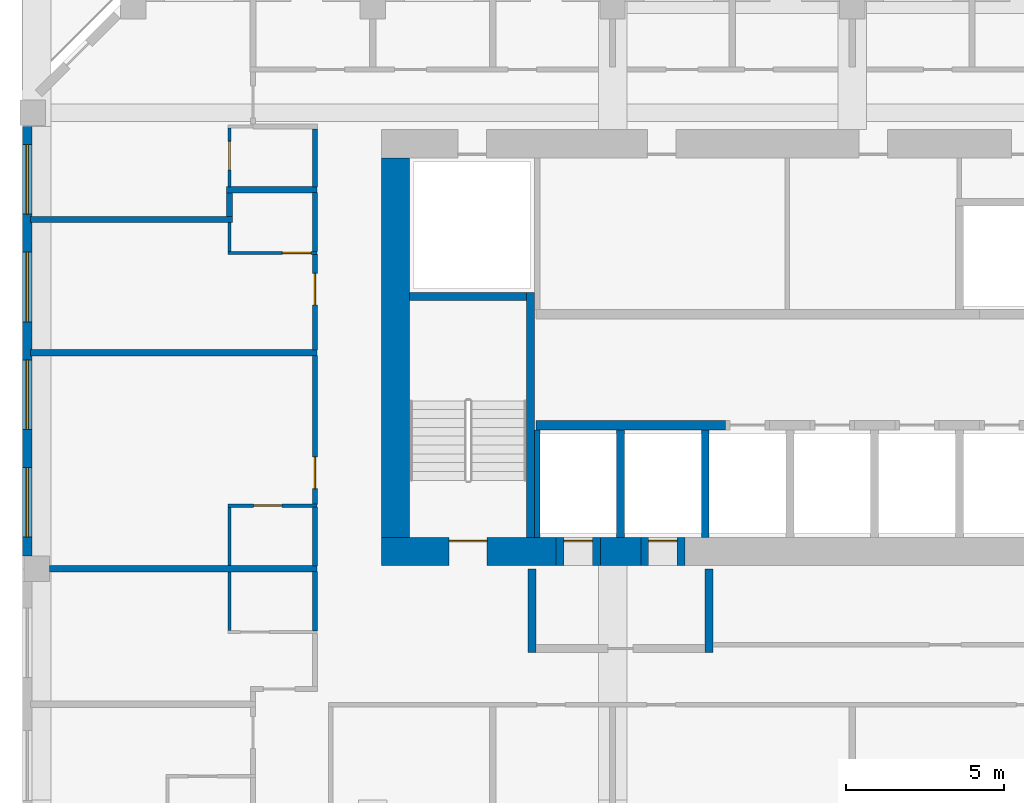
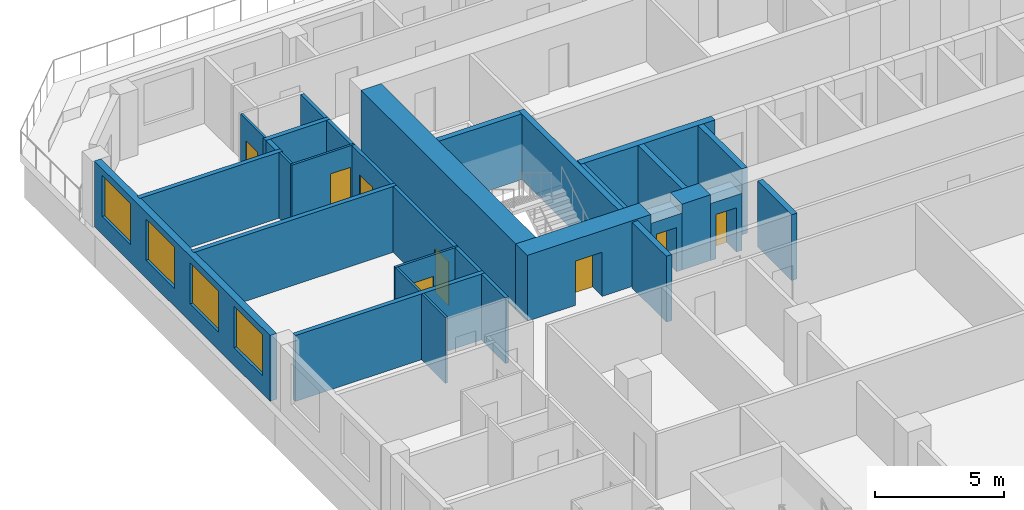
# One storey, part 7 of 16: 31 walls, 8 doors, 4 windows, 12 openings.
"""IFC4 building model written with IfcOpenShell, lengths in metres."""

from ifc_helpers import new_model, si_unit, direction, frame, frame_2d, origin, place, context, subcontext, project, spatial, rectangle, extrude, source, transform, mapped, material, layer, layer_set, type_object, element, fill, save


model = new_model("IFC4")

# Units and contexts
model_context = context("Model", 3, precision=1e-05, world=origin(), true_north=direction((0.0, 1.0)))
body_context = subcontext(model_context, "Body", "Model", "MODEL_VIEW")
ifc_project = project(units=[si_unit("LENGTHUNIT", "METRE"), si_unit("AREAUNIT", "SQUARE_METRE"), si_unit("VOLUMEUNIT", "CUBIC_METRE"), si_unit("PLANEANGLEUNIT", "RADIAN"), si_unit("MASSUNIT", "GRAM", prefix="KILO")], contexts=[model_context])

# Site, building, storey
site_placement = place(None, origin())
site = spatial("IfcSite", under=ifc_project, at=site_placement, CompositionType="ELEMENT")
building_placement = place(site_placement, origin())
building = spatial("IfcBuilding", under=site, at=building_placement, Name="Kilnfold Tower and Market Hall", CompositionType="ELEMENT")
storey_placement = place(building_placement, frame((0.0, 0.0, 168.5)))
storey = spatial("IfcBuildingStorey", under=building, at=storey_placement, Name="L39", CompositionType="ELEMENT", Elevation=168.5)

# Wall
ifc_material_1 = material(Name="Gypsum board on steel studs", Category="steel")
ifc_layer_1 = layer(ifc_material_1, 0.14990234375)
ifc_layer_set_1 = layer_set([ifc_layer_1], Name="Gypsum board on steel studs")
wall_type_1 = type_object("IfcWallType", Name="WALL CORRIDOR 150", PredefinedType="PARTITIONING", material=ifc_layer_set_1)
wall_1_placement = place(storey_placement, frame((-18.0, 6.0400390625, 0.0), z_axis=(0.0, 0.0, 1.0), x_axis=(0.0, 1.0, 0.0)))
element("IfcWall", 1, at=wall_1_placement, inside=storey, type_object=wall_type_1, Name="Partition LY26.21", PredefinedType="PARTITIONING", context=body_context, shape_type="SweptSolid", body=[
    extrude(rectangle(XDim=1.869873046875, YDim=0.14990234375, at=frame_2d((0.93505859375, 0.0))), origin(), (0.0, 0.0, 1.0), 3.1201171875),
])

# Wall, opening, door
wall_2_placement = place(storey_placement, frame((-18.0, 10.0400390625, 0.0), z_axis=(0.0, 0.0, 1.0), x_axis=(0.0, 1.0, 0.0)))
wall_2 = element("IfcWall", 2, at=wall_2_placement, inside=storey, type_object=wall_type_1, Name="Partition LY26.22", PredefinedType="PARTITIONING", context=body_context, shape_type="SweptSolid", body=[
    extrude(rectangle(XDim=4.70703125, YDim=0.14990234375, at=frame_2d((2.353515625, 0.0))), origin(), (0.0, 0.0, 1.0), 3.1201171875),
])
opening_1_placement = place(wall_2_placement, frame((0.5009765625, 0.0, 0.0)))
opening_1 = element("IfcOpeningElement", 3, at=opening_1_placement, cuts=wall_2, Name="Opening D1", PredefinedType="OPENING", context=body_context, shape_type="SweptSolid", body=[
    extrude(rectangle(XDim=1.0, YDim=2.10009765625, at=frame_2d((0.5, 1.050048828125))), frame((0.0, 0.0849609375, 0.0), z_axis=(0.0, -1.0, 0.0), x_axis=(1.0, 0.0, 0.0)), (0.0, 0.0, 1.0), 0.169921875),
])
ifc_material_2 = material(Name="Timber veneer door leaf in steel frame", Category="steel")
door_type_1 = type_object("IfcDoorType", Name="DOOR ENTRY 1000 X2100", OperationType="NOTDEFINED", PredefinedType="DOOR", material=ifc_material_2)
door_1_placement = place(opening_1_placement, origin())
door_1 = element("IfcDoor", 4, at=door_1_placement, inside=storey, type_object=door_type_1, Name="Door D1", OperationType="SINGLE_SWING_LEFT", OverallHeight=2.10009765625, OverallWidth=1.0, PredefinedType="DOOR", context=body_context, shape_type="SweptSolid", body=[
    extrude(rectangle(XDim=1.0, YDim=2.10009765625, at=frame_2d((0.5, 1.050048828125))), frame((0.0, 0.02490234375, 0.0), z_axis=(0.0, -1.0, 0.0), x_axis=(1.0, 0.0, 0.0)), (0.0, 0.0, 1.0), 0.050048828125),
])
fill(opening_1, door_1)

# Wall
wall_3_placement = place(storey_placement, frame((-18.0, 8.090087890625, 0.0), z_axis=(0.0, 0.0, 1.0), x_axis=(0.0, 1.0, 0.0)))
element("IfcWall", 5, at=wall_3_placement, inside=storey, type_object=wall_type_1, Name="Partition LY26.23", PredefinedType="PARTITIONING", context=body_context, shape_type="SweptSolid", body=[
    extrude(rectangle(XDim=1.869873046875, YDim=0.14990234375, at=frame_2d((0.93505859375, 0.0))), origin(), (0.0, 0.0, 1.0), 3.1201171875),
])

# Wall, opening, door
wall_4_placement = place(storey_placement, frame((-18.0, 14.927001953125, 0.0), z_axis=(0.0, 0.0, 1.0), x_axis=(0.0, 1.0, 0.0)))
wall_4 = element("IfcWall", 6, at=wall_4_placement, inside=storey, type_object=wall_type_1, Name="Partition LY26.24", PredefinedType="PARTITIONING", context=body_context, shape_type="SweptSolid", body=[
    extrude(rectangle(XDim=3.032958984375, YDim=0.14990234375, at=frame_2d((1.5166015625, 0.0))), origin(), (0.0, 0.0, 1.0), 3.1201171875),
])
opening_2_placement = place(wall_4_placement, frame((1.425048828125, 0.0, 0.0)))
opening_2 = element("IfcOpeningElement", 7, at=opening_2_placement, cuts=wall_4, Name="Opening D1", PredefinedType="OPENING", context=body_context, shape_type="SweptSolid", body=[
    extrude(rectangle(XDim=1.0, YDim=2.10009765625, at=frame_2d((0.5, 1.050048828125))), frame((0.0, 0.0849609375, 0.0), z_axis=(0.0, -1.0, 0.0), x_axis=(1.0, 0.0, 0.0)), (0.0, 0.0, 1.0), 0.169921875),
])
door_2_placement = place(opening_2_placement, origin())
door_2 = element("IfcDoor", 8, at=door_2_placement, inside=storey, type_object=door_type_1, Name="Door D1", OperationType="SINGLE_SWING_LEFT", OverallHeight=2.10009765625, OverallWidth=1.0, PredefinedType="DOOR", context=body_context, shape_type="SweptSolid", body=[
    extrude(rectangle(XDim=1.0, YDim=2.10009765625, at=frame_2d((0.5, 1.050048828125))), frame((0.0, 0.02490234375, 0.0), z_axis=(0.0, -1.0, 0.0), x_axis=(1.0, 0.0, 0.0)), (0.0, 0.0, 1.0), 0.050048828125),
])
fill(opening_2, door_2)

# Walls
wall_5_placement = place(storey_placement, frame((-18.0, 18.0400390625, 0.0), z_axis=(0.0, 0.0, 1.0), x_axis=(0.0, 1.0, 0.0)))
element("IfcWall", 9, at=wall_5_placement, inside=storey, type_object=wall_type_1, Name="Partition LY26.25", PredefinedType="PARTITIONING", context=body_context, shape_type="SweptSolid", body=[
    extrude(rectangle(XDim=1.869873046875, YDim=0.14990234375, at=frame_2d((0.93505859375, 0.0))), origin(), (0.0, 0.0, 1.0), 3.1201171875),
])
wall_6_placement = place(storey_placement, frame((-18.0, 20.090087890625, 0.0), z_axis=(0.0, 0.0, 1.0), x_axis=(0.0, 1.0, 0.0)))
element("IfcWall", 10, at=wall_6_placement, inside=storey, type_object=wall_type_1, Name="Partition LY26.27", PredefinedType="PARTITIONING", context=body_context, shape_type="SweptSolid", body=[
    extrude(rectangle(XDim=1.8349609375, YDim=0.14990234375, at=frame_2d((0.91748046875, 0.0))), origin(), (0.0, 0.0, 1.0), 3.1201171875),
])
ifc_material_3 = material(Name="Gypsum board on steel studs", Category="steel")
ifc_layer_2 = layer(ifc_material_3, 0.10009765625)
ifc_layer_set_2 = layer_set([ifc_layer_2], Name="Gypsum board on steel studs")
wall_type_2 = type_object("IfcWallType", Name="WALL PARTITION 100", PredefinedType="PARTITIONING", material=ifc_layer_set_2)
wall_7_placement = place(storey_placement, frame((-20.701904296875, 6.050048828125, 0.0), z_axis=(0.0, 0.0, 1.0), x_axis=(0.0, 1.0, 0.0)))
element("IfcWall", 11, at=wall_7_placement, inside=storey, type_object=wall_type_2, Name="Partition LY26.105", PredefinedType="PARTITIONING", context=body_context, shape_type="SweptSolid", body=[
    extrude(rectangle(XDim=1.849853515625, YDim=0.10009765625, at=frame_2d((0.9248046875, 0.0))), origin(), (0.0, 0.0, 1.0), 3.1201171875),
])

# Wall, opening, door
wall_8_placement = place(storey_placement, frame((-20.751953125, 10.0, 0.0), z_axis=(0.0, 0.0, 1.0), x_axis=(1.0, 0.0, 0.0)))
wall_8 = element("IfcWall", 12, at=wall_8_placement, inside=storey, type_object=wall_type_2, Name="Partition LY26.107", PredefinedType="PARTITIONING", context=body_context, shape_type="SweptSolid", body=[
    extrude(rectangle(XDim=2.824951171875, YDim=0.10009765625, at=frame_2d((1.41259765625, 0.0))), origin(), (0.0, 0.0, 1.0), 3.1201171875),
])
opening_3_placement = place(wall_8_placement, frame((0.81005859375, 0.0, 0.0)))
opening_3 = element("IfcOpeningElement", 13, at=opening_3_placement, cuts=wall_8, Name="Opening D3", PredefinedType="OPENING", context=body_context, shape_type="SweptSolid", body=[
    extrude(rectangle(XDim=0.89990234375, YDim=2.10009765625, at=frame_2d((0.449951171875, 1.050048828125))), frame((0.0, 0.06005859375, 0.0), z_axis=(0.0, -1.0, 0.0), x_axis=(1.0, 0.0, 0.0)), (0.0, 0.0, 1.0), 0.1201171875),
])
ifc_material_4 = material(Name="Timber veneer door leaf in steel frame", Category="steel")
door_type_2 = type_object("IfcDoorType", Name="DOOR WC 900 X2100", OperationType="NOTDEFINED", PredefinedType="DOOR", material=ifc_material_4)
door_3_placement = place(opening_3_placement, origin())
door_3 = element("IfcDoor", 14, at=door_3_placement, inside=storey, type_object=door_type_2, Name="Door D3", OperationType="SINGLE_SWING_LEFT", OverallHeight=2.10009765625, OverallWidth=0.89990234375, PredefinedType="DOOR", context=body_context, shape_type="SweptSolid", body=[
    extrude(rectangle(XDim=0.89990234375, YDim=2.10009765625, at=frame_2d((0.449951171875, 1.050048828125))), frame((0.0, 0.02490234375, 0.0), z_axis=(0.0, -1.0, 0.0), x_axis=(1.0, 0.0, 0.0)), (0.0, 0.0, 1.0), 0.050048828125),
])
fill(opening_3, door_3)

# Wall
wall_9_placement = place(storey_placement, frame((-20.701904296875, 8.10009765625, 0.0), z_axis=(0.0, 0.0, 1.0), x_axis=(0.0, 1.0, 0.0)))
element("IfcWall", 15, at=wall_9_placement, inside=storey, type_object=wall_type_2, Name="Partition LY26.108", PredefinedType="PARTITIONING", context=body_context, shape_type="SweptSolid", body=[
    extrude(rectangle(XDim=1.849853515625, YDim=0.10009765625, at=frame_2d((0.9248046875, 0.0))), origin(), (0.0, 0.0, 1.0), 3.1201171875),
])

# Wall, opening, door
wall_10_placement = place(storey_placement, frame((-17.927001953125, 18.0, 0.0), z_axis=(0.0, 0.0, 1.0), x_axis=(-1.0, 0.0, 0.0)))
wall_10 = element("IfcWall", 16, at=wall_10_placement, inside=storey, type_object=wall_type_2, Name="Partition LY26.110", PredefinedType="PARTITIONING", context=body_context, shape_type="SweptSolid", body=[
    extrude(rectangle(XDim=2.824951171875, YDim=0.10009765625, at=frame_2d((1.41259765625, 0.0))), origin(), (0.0, 0.0, 1.0), 3.1201171875),
])
opening_4_placement = place(wall_10_placement, frame((0.199951171875, 0.0, 0.0)))
opening_4 = element("IfcOpeningElement", 17, at=opening_4_placement, cuts=wall_10, Name="Opening D3", PredefinedType="OPENING", context=body_context, shape_type="SweptSolid", body=[
    extrude(rectangle(XDim=0.89990234375, YDim=2.10009765625, at=frame_2d((0.449951171875, 1.050048828125))), frame((0.0, 0.06005859375, 0.0), z_axis=(0.0, -1.0, 0.0), x_axis=(1.0, 0.0, 0.0)), (0.0, 0.0, 1.0), 0.1201171875),
])
door_4_placement = place(opening_4_placement, origin())
door_4 = element("IfcDoor", 18, at=door_4_placement, inside=storey, type_object=door_type_2, Name="Door D3", OperationType="SINGLE_SWING_LEFT", OverallHeight=2.10009765625, OverallWidth=0.89990234375, PredefinedType="DOOR", context=body_context, shape_type="SweptSolid", body=[
    extrude(rectangle(XDim=0.89990234375, YDim=2.10009765625, at=frame_2d((0.449951171875, 1.050048828125))), frame((0.0, 0.02490234375, 0.0), z_axis=(0.0, -1.0, 0.0), x_axis=(1.0, 0.0, 0.0)), (0.0, 0.0, 1.0), 0.050048828125),
])
fill(opening_4, door_4)

# Wall
wall_11_placement = place(storey_placement, frame((-20.701904296875, 18.050048828125, 0.0), z_axis=(0.0, 0.0, 1.0), x_axis=(0.0, 1.0, 0.0)))
element("IfcWall", 19, at=wall_11_placement, inside=storey, type_object=wall_type_2, Name="Partition LY26.111", PredefinedType="PARTITIONING", context=body_context, shape_type="SweptSolid", body=[
    extrude(rectangle(XDim=0.90283203125, YDim=0.10009765625, at=frame_2d((0.451416015625, 0.0))), origin(), (0.0, 0.0, 1.0), 3.1201171875),
])

# Wall, opening, door
wall_12_placement = place(storey_placement, frame((-20.701904296875, 20.090087890625, 0.0), z_axis=(0.0, 0.0, 1.0), x_axis=(0.0, 1.0, 0.0)))
wall_12 = element("IfcWall", 20, at=wall_12_placement, inside=storey, type_object=wall_type_2, Name="Partition LY26.116", PredefinedType="PARTITIONING", context=body_context, shape_type="SweptSolid", body=[
    extrude(rectangle(XDim=1.85986328125, YDim=0.10009765625, at=frame_2d((0.929931640625, 0.0))), origin(), (0.0, 0.0, 1.0), 3.1201171875),
])
opening_5_placement = place(wall_12_placement, frame((0.535888671875, 0.0, 0.0)))
opening_5 = element("IfcOpeningElement", 21, at=opening_5_placement, cuts=wall_12, Name="Opening D3", PredefinedType="OPENING", context=body_context, shape_type="SweptSolid", body=[
    extrude(rectangle(XDim=0.89990234375, YDim=2.10009765625, at=frame_2d((0.449951171875, 1.050048828125))), frame((0.0, 0.06005859375, 0.0), z_axis=(0.0, -1.0, 0.0), x_axis=(1.0, 0.0, 0.0)), (0.0, 0.0, 1.0), 0.1201171875),
])
door_5_placement = place(opening_5_placement, origin())
door_5 = element("IfcDoor", 22, at=door_5_placement, inside=storey, type_object=door_type_2, Name="Door D3", OperationType="SINGLE_SWING_RIGHT", OverallHeight=2.10009765625, OverallWidth=0.89990234375, PredefinedType="DOOR", context=body_context, shape_type="SweptSolid", body=[
    extrude(rectangle(XDim=0.89990234375, YDim=2.10009765625, at=frame_2d((0.449951171875, 1.050048828125))), frame((0.0, 0.02490234375, 0.0), z_axis=(0.0, -1.0, 0.0), x_axis=(1.0, 0.0, 0.0)), (0.0, 0.0, 1.0), 0.050048828125),
])
fill(opening_5, door_5)

# Walls
ifc_material_5 = material(Name="Gypsum board on steel studs", Category="steel")
ifc_layer_3 = layer(ifc_material_5, 0.199951171875)
ifc_layer_set_3 = layer_set([ifc_layer_3], Name="Gypsum board on steel studs")
wall_type_3 = type_object("IfcWallType", Name="WALL PARTY 200", PredefinedType="PARTITIONING", material=ifc_layer_set_3)
wall_13_placement = place(storey_placement, frame((-26.39990234375, 8.0, 0.0), z_axis=(0.0, 0.0, 1.0), x_axis=(1.0, 0.0, 0.0)))
element("IfcWall", 23, at=wall_13_placement, inside=storey, type_object=wall_type_3, Name="Partition LY26.106", PredefinedType="PARTITIONING", context=body_context, shape_type="SweptSolid", body=[
    extrude(rectangle(XDim=8.472900390625, YDim=0.199951171875, at=frame_2d((4.236328125, 0.0))), origin(), (0.0, 0.0, 1.0), 3.1201171875),
])
wall_14_placement = place(storey_placement, frame((-17.927001953125, 14.8369140625, 0.0), z_axis=(0.0, 0.0, 1.0), x_axis=(-1.0, 0.0, 0.0)))
element("IfcWall", 24, at=wall_14_placement, inside=storey, type_object=wall_type_3, Name="Partition LY26.109", PredefinedType="PARTITIONING", context=body_context, shape_type="SweptSolid", body=[
    extrude(rectangle(XDim=9.072998046875, YDim=0.199951171875, at=frame_2d((4.53662109375, 0.0))), origin(), (0.0, 0.0, 1.0), 3.1201171875),
])
wall_15_placement = place(storey_placement, frame((-20.60205078125, 19.052978515625, 0.0), z_axis=(0.0, 0.0, 1.0), x_axis=(-1.0, 0.0, 0.0)))
element("IfcWall", 25, at=wall_15_placement, inside=storey, type_object=wall_type_3, Name="Partition LY26.112", PredefinedType="PARTITIONING", context=body_context, shape_type="SweptSolid", body=[
    extrude(rectangle(XDim=6.39794921875, YDim=0.199951171875, at=frame_2d((3.198974609375, 0.0))), origin(), (0.0, 0.0, 1.0), 3.1201171875),
])
wall_16_placement = place(storey_placement, frame((-20.701904296875, 19.89990234375, 0.0), z_axis=(0.0, 0.0, 1.0), x_axis=(0.0, -1.0, 0.0)))
element("IfcWall", 26, at=wall_16_placement, inside=storey, type_object=wall_type_3, Name="Partition LY26.113", PredefinedType="PARTITIONING", context=body_context, shape_type="SweptSolid", body=[
    extrude(rectangle(XDim=0.7568359375, YDim=0.199951171875, at=frame_2d((0.37841796875, 0.0))), origin(), (0.0, 0.0, 1.0), 3.1201171875),
])
wall_17_placement = place(storey_placement, frame((-17.927001953125, 20.0, 0.0), z_axis=(0.0, 0.0, 1.0), x_axis=(-1.0, 0.0, 0.0)))
element("IfcWall", 27, at=wall_17_placement, inside=storey, type_object=wall_type_3, Name="Partition LY26.114", PredefinedType="PARTITIONING", context=body_context, shape_type="SweptSolid", body=[
    extrude(rectangle(XDim=2.875, YDim=0.199951171875, at=frame_2d((1.4375, 0.0))), origin(), (0.0, 0.0, 1.0), 3.1201171875),
])

# Wall, opening, door
ifc_material_6 = material(Name="Concrete C70", Category="concrete")
ifc_layer_4 = layer(ifc_material_6, 0.89990234375)
ifc_layer_set_4 = layer_set([ifc_layer_4], Name="Concrete C70")
wall_type_4 = type_object("IfcWallType", Name="CORE WALL 900 C70", PredefinedType="SHEAR", material=ifc_layer_set_4)
shared_shape_1 = source(origin(), body_context, "Body", "SweptSolid", [
    extrude(rectangle(XDim=5.52978515625, YDim=0.89990234375, at=frame_2d((2.764892578125, 0.0))), origin(), (0.0, 0.0, 1.0), 3.1201171875),
])
wall_18_placement = place(storey_placement, frame((-15.89990234375, 8.550048828125, 0.0), z_axis=(0.0, 0.0, 1.0), x_axis=(1.0, 0.0, 0.0)))
wall_18 = element("IfcWall", 28, at=wall_18_placement, inside=storey, type_object=wall_type_4, Name="Core outer wall south", PredefinedType="SHEAR", context=body_context, shape_type="MappedRepresentation", body=[
    mapped(shared_shape_1, transform((0.0, 0.0, 0.0))),
])
opening_6_placement = place(wall_18_placement, frame((2.14990234375, 0.0, 0.0)))
opening_6 = element("IfcOpeningElement", 29, at=opening_6_placement, cuts=wall_18, Name="Opening SD1", PredefinedType="OPENING", context=body_context, shape_type="SweptSolid", body=[
    extrude(rectangle(XDim=1.199951171875, YDim=2.10009765625, at=frame_2d((0.60009765625, 1.050048828125))), frame((0.0, 0.4599609375, 0.0), z_axis=(0.0, -1.0, 0.0), x_axis=(1.0, 0.0, 0.0)), (0.0, 0.0, 1.0), 0.919921875),
])
ifc_material_7 = material(Name="Steel door set with fire-resisting leaf", Category="steel")
door_type_3 = type_object("IfcDoorType", Name="STAIR FLOOR DOOR 1200X2100", OperationType="NOTDEFINED", PredefinedType="DOOR", material=ifc_material_7)
door_6_placement = place(opening_6_placement, origin())
door_6 = element("IfcDoor", 30, at=door_6_placement, inside=storey, type_object=door_type_3, Name="Exit stair ST1 door", OperationType="DOUBLE_DOOR_SINGLE_SWING", OverallHeight=2.10009765625, OverallWidth=1.199951171875, PredefinedType="DOOR", context=body_context, shape_type="SweptSolid", body=[
    extrude(rectangle(XDim=1.199951171875, YDim=2.10009765625, at=frame_2d((0.60009765625, 1.050048828125))), frame((0.0, 0.35498046875, 0.0), z_axis=(0.0, -1.0, 0.0), x_axis=(1.0, 0.0, 0.0)), (0.0, 0.0, 1.0), 0.050048828125),
])
fill(opening_6, door_6)

# Walls
shared_shape_2 = source(origin(), body_context, "Body", "SweptSolid", [
    extrude(rectangle(XDim=1.280029296875, YDim=0.89990234375, at=frame_2d((0.64013671875, 0.0))), origin(), (0.0, 0.0, 1.0), 3.1201171875),
])
wall_19_placement = place(storey_placement, frame((-8.969970703125, 8.550048828125, 0.0), z_axis=(0.0, 0.0, 1.0), x_axis=(1.0, 0.0, 0.0)))
element("IfcWall", 31, at=wall_19_placement, inside=storey, type_object=wall_type_4, Name="Core outer wall south", PredefinedType="SHEAR", context=body_context, shape_type="MappedRepresentation", body=[
    mapped(shared_shape_2, transform((0.0, 0.0, 0.0))),
])
shared_shape_3 = source(origin(), body_context, "Body", "SweptSolid", [
    extrude(rectangle(XDim=12.0, YDim=0.89990234375, at=frame_2d((6.0, 0.0))), origin(), (0.0, 0.0, 1.0), 3.1201171875),
])
wall_20_placement = place(storey_placement, frame((-15.449951171875, 9.0, 0.0), z_axis=(0.0, 0.0, 1.0), x_axis=(0.0, 1.0, 0.0)))
element("IfcWall", 32, at=wall_20_placement, inside=storey, type_object=wall_type_4, Name="Core outer wall west", PredefinedType="SHEAR", context=body_context, shape_type="MappedRepresentation", body=[
    mapped(shared_shape_3, transform((0.0, 0.0, 0.0))),
])
ifc_material_8 = material(Name="Concrete C70", Category="concrete")
ifc_layer_5 = layer(ifc_material_8, 0.25)
ifc_layer_set_5 = layer_set([ifc_layer_5], Name="Concrete C70")
wall_type_5 = type_object("IfcWallType", Name="CORE WALL 250 C70", PredefinedType="SHEAR", material=ifc_layer_set_5)
shared_shape_4 = source(origin(), body_context, "Body", "SweptSolid", [
    extrude(rectangle(XDim=7.75, YDim=0.25, at=frame_2d((3.875, 0.0))), origin(), (0.0, 0.0, 1.0), 3.1201171875),
])
wall_21_placement = place(storey_placement, frame((-11.175048828125, 9.0, 0.0), z_axis=(0.0, 0.0, 1.0), x_axis=(0.0, 1.0, 0.0)))
element("IfcWall", 33, at=wall_21_placement, inside=storey, type_object=wall_type_5, Name="Stair enclosure ST1", PredefinedType="SHEAR", context=body_context, shape_type="MappedRepresentation", body=[
    mapped(shared_shape_4, transform((0.0, 0.0, 0.0))),
])
shared_shape_5 = source(origin(), body_context, "Body", "SweptSolid", [
    extrude(rectangle(XDim=3.699951171875, YDim=0.25, at=frame_2d((1.85009765625, 0.0))), origin(), (0.0, 0.0, 1.0), 3.1201171875),
])
wall_22_placement = place(storey_placement, frame((-15.0, 16.625, 0.0), z_axis=(0.0, 0.0, 1.0), x_axis=(1.0, 0.0, 0.0)))
element("IfcWall", 34, at=wall_22_placement, inside=storey, type_object=wall_type_5, Name="Stair enclosure ST1", PredefinedType="SHEAR", context=body_context, shape_type="MappedRepresentation", body=[
    mapped(shared_shape_5, transform((0.0, 0.0, 0.0))),
])
ifc_material_9 = material(Name="Concrete C70", Category="concrete")
ifc_layer_6 = layer(ifc_material_9, 0.300048828125)
ifc_layer_set_6 = layer_set([ifc_layer_6], Name="Concrete C70")
wall_type_6 = type_object("IfcWallType", Name="CORE WALL 300 C70", PredefinedType="SHEAR", material=ifc_layer_set_6)
shared_shape_6 = source(origin(), body_context, "Body", "SweptSolid", [
    extrude(rectangle(XDim=6.0, YDim=0.300048828125, at=frame_2d((3.0, 0.0))), origin(), (0.0, 0.0, 1.0), 3.1201171875),
])
wall_23_placement = place(storey_placement, frame((-11.010009765625, 12.550048828125, 0.0), z_axis=(0.0, 0.0, 1.0), x_axis=(1.0, 0.0, 0.0)))
element("IfcWall", 35, at=wall_23_placement, inside=storey, type_object=wall_type_6, Name="Core spine wall", PredefinedType="SHEAR", context=body_context, shape_type="MappedRepresentation", body=[
    mapped(shared_shape_6, transform((0.0, 0.0, 0.0))),
])

# Wall, openings, windows
ifc_material_10 = material(Name="Precast concrete C50/60", Category="concrete")
ifc_layer_7 = layer(ifc_material_10, 0.300048828125)
ifc_layer_set_7 = layer_set([ifc_layer_7], Name="Precast concrete C50/60")
wall_type_7 = type_object("IfcWallType", Name="PRECAST WALL 300", PredefinedType="SOLIDWALL", material=ifc_layer_set_7)
shared_shape_7 = source(origin(), body_context, "Body", "SweptSolid", [
    extrude(rectangle(XDim=13.6318359375, YDim=0.300048828125, at=frame_2d((6.81591796875, 0.0))), origin(), (0.0, 0.0, 1.0), 3.1201171875),
])
wall_24_placement = place(storey_placement, frame((-27.10009765625, 22.03173828125, 0.0), z_axis=(0.0, 0.0, 1.0), x_axis=(0.0, -1.0, 0.0)))
wall_24 = element("IfcWall", 36, at=wall_24_placement, inside=storey, type_object=wall_type_7, Name="External wall L39 W", PredefinedType="SOLIDWALL", context=body_context, shape_type="MappedRepresentation", body=[
    mapped(shared_shape_7, transform((0.0, 0.0, 0.0))),
])
opening_7_placement = place(wall_24_placement, frame((0.60400390625, 0.0, 0.85009765625)))
opening_7 = element("IfcOpeningElement", 37, at=opening_7_placement, cuts=wall_24, Name="Opening W2", PredefinedType="OPENING", context=body_context, shape_type="SweptSolid", body=[
    extrude(rectangle(XDim=2.199951171875, YDim=1.949951171875, at=frame_2d((1.10009765625, 0.97509765625))), frame((0.0, 0.16015625, 0.0), z_axis=(0.0, -1.0, 0.0), x_axis=(1.0, 0.0, 0.0)), (0.0, 0.0, 1.0), 0.320068359375),
])
opening_8_placement = place(wall_24_placement, frame((4.011962890625, 0.0, 0.85009765625)))
opening_8 = element("IfcOpeningElement", 38, at=opening_8_placement, cuts=wall_24, Name="Opening W2", PredefinedType="OPENING", context=body_context, shape_type="SweptSolid", body=[
    extrude(rectangle(XDim=2.199951171875, YDim=1.949951171875, at=frame_2d((1.10009765625, 0.97509765625))), frame((0.0, 0.16015625, 0.0), z_axis=(0.0, -1.0, 0.0), x_axis=(1.0, 0.0, 0.0)), (0.0, 0.0, 1.0), 0.320068359375),
])
opening_9_placement = place(wall_24_placement, frame((7.419921875, 0.0, 0.85009765625)))
opening_9 = element("IfcOpeningElement", 39, at=opening_9_placement, cuts=wall_24, Name="Opening W2", PredefinedType="OPENING", context=body_context, shape_type="SweptSolid", body=[
    extrude(rectangle(XDim=2.199951171875, YDim=1.949951171875, at=frame_2d((1.10009765625, 0.97509765625))), frame((0.0, 0.16015625, 0.0), z_axis=(0.0, -1.0, 0.0), x_axis=(1.0, 0.0, 0.0)), (0.0, 0.0, 1.0), 0.320068359375),
])
opening_10_placement = place(wall_24_placement, frame((10.827880859375, 0.0, 0.85009765625)))
opening_10 = element("IfcOpeningElement", 40, at=opening_10_placement, cuts=wall_24, Name="Opening W2", PredefinedType="OPENING", context=body_context, shape_type="SweptSolid", body=[
    extrude(rectangle(XDim=2.199951171875, YDim=1.949951171875, at=frame_2d((1.10009765625, 0.97509765625))), frame((0.0, 0.16015625, 0.0), z_axis=(0.0, -1.0, 0.0), x_axis=(1.0, 0.0, 0.0)), (0.0, 0.0, 1.0), 0.320068359375),
])
ifc_material_11 = material(Name="Aluminium frame and double glazing", Category="aluminium")
window_type = type_object("IfcWindowType", Name="WINDOW W2 2200X1950", PartitioningType="SINGLE_PANEL", PredefinedType="WINDOW", material=ifc_material_11)
window_1_placement = place(opening_7_placement, origin())
window_1 = element("IfcWindow", 41, at=window_1_placement, inside=storey, type_object=window_type, Name="Window W2 L39 W-1", OverallHeight=1.949951171875, OverallWidth=2.199951171875, PartitioningType="SINGLE_PANEL", PredefinedType="WINDOW", context=body_context, shape_type="SweptSolid", body=[
    extrude(rectangle(XDim=2.199951171875, YDim=1.949951171875, at=frame_2d((1.10009765625, 0.97509765625))), frame((0.0, 0.030029296875, 0.0), z_axis=(0.0, -1.0, 0.0), x_axis=(1.0, 0.0, 0.0)), (0.0, 0.0, 1.0), 0.06005859375),
])
fill(opening_7, window_1)
window_2_placement = place(opening_8_placement, origin())
window_2 = element("IfcWindow", 42, at=window_2_placement, inside=storey, type_object=window_type, Name="Window W2 L39 W-2", OverallHeight=1.949951171875, OverallWidth=2.199951171875, PartitioningType="SINGLE_PANEL", PredefinedType="WINDOW", context=body_context, shape_type="SweptSolid", body=[
    extrude(rectangle(XDim=2.199951171875, YDim=1.949951171875, at=frame_2d((1.10009765625, 0.97509765625))), frame((0.0, 0.030029296875, 0.0), z_axis=(0.0, -1.0, 0.0), x_axis=(1.0, 0.0, 0.0)), (0.0, 0.0, 1.0), 0.06005859375),
])
fill(opening_8, window_2)
window_3_placement = place(opening_9_placement, origin())
window_3 = element("IfcWindow", 43, at=window_3_placement, inside=storey, type_object=window_type, Name="Window W2 L39 W-3", OverallHeight=1.949951171875, OverallWidth=2.199951171875, PartitioningType="SINGLE_PANEL", PredefinedType="WINDOW", context=body_context, shape_type="SweptSolid", body=[
    extrude(rectangle(XDim=2.199951171875, YDim=1.949951171875, at=frame_2d((1.10009765625, 0.97509765625))), frame((0.0, 0.030029296875, 0.0), z_axis=(0.0, -1.0, 0.0), x_axis=(1.0, 0.0, 0.0)), (0.0, 0.0, 1.0), 0.06005859375),
])
fill(opening_9, window_3)
window_4_placement = place(opening_10_placement, origin())
window_4 = element("IfcWindow", 44, at=window_4_placement, inside=storey, type_object=window_type, Name="Window W2 L39 W-4", OverallHeight=1.949951171875, OverallWidth=2.199951171875, PartitioningType="SINGLE_PANEL", PredefinedType="WINDOW", context=body_context, shape_type="SweptSolid", body=[
    extrude(rectangle(XDim=2.199951171875, YDim=1.949951171875, at=frame_2d((1.10009765625, 0.97509765625))), frame((0.0, 0.030029296875, 0.0), z_axis=(0.0, -1.0, 0.0), x_axis=(1.0, 0.0, 0.0)), (0.0, 0.0, 1.0), 0.06005859375),
])
fill(opening_10, window_4)

# Wall, opening, door
ifc_material_12 = material(Name="Gypsum shaft wall system")
ifc_layer_8 = layer(ifc_material_12, 0.89990234375)
ifc_layer_set_8 = layer_set([ifc_layer_8], Name="Gypsum shaft wall system")
wall_type_8 = type_object("IfcWallType", Name="LOBBY WALL 900", PredefinedType="PARTITIONING", material=ifc_layer_set_8)
shared_shape_8 = source(origin(), body_context, "Body", "SweptSolid", [
    extrude(rectangle(XDim=1.400146484375, YDim=0.89990234375, at=frame_2d((0.7001953125, 0.0))), origin(), (0.0, 0.0, 1.0), 2.699951171875),
])
wall_25_placement = place(storey_placement, frame((-10.3701171875, 8.550048828125, 0.0), z_axis=(0.0, 0.0, 1.0), x_axis=(1.0, 0.0, 0.0)))
wall_25 = element("IfcWall", 45, at=wall_25_placement, inside=storey, type_object=wall_type_8, Name="Core wall infill", PredefinedType="PARTITIONING", context=body_context, shape_type="MappedRepresentation", body=[
    mapped(shared_shape_8, transform((0.0, 0.0, 0.0))),
])
opening_11_placement = place(wall_25_placement, frame((0.25, 0.0, 0.0)))
opening_11 = element("IfcOpeningElement", 46, at=opening_11_placement, cuts=wall_25, Name="Opening LD1", PredefinedType="OPENING", context=body_context, shape_type="SweptSolid", body=[
    extrude(rectangle(XDim=0.89990234375, YDim=2.10009765625, at=frame_2d((0.449951171875, 1.050048828125))), frame((0.0, 0.4599609375, 0.0), z_axis=(0.0, -1.0, 0.0), x_axis=(1.0, 0.0, 0.0)), (0.0, 0.0, 1.0), 0.919921875),
])
ifc_material_13 = material(Name="Steel door set with fire-resisting leaf", Category="steel")
door_type_4 = type_object("IfcDoorType", Name="FIREFIGHTING LANDING DOOR 900X2100", OperationType="NOTDEFINED", PredefinedType="DOOR", material=ifc_material_13)
door_7_placement = place(opening_11_placement, origin())
door_7 = element("IfcDoor", 47, at=door_7_placement, inside=storey, type_object=door_type_4, Name="Landing door FF1", OperationType="SLIDING_TO_LEFT", OverallHeight=2.10009765625, OverallWidth=0.89990234375, PredefinedType="DOOR", context=body_context, shape_type="SweptSolid", body=[
    extrude(rectangle(XDim=0.89990234375, YDim=2.10009765625, at=frame_2d((0.449951171875, 1.050048828125))), frame((0.0, 0.35498046875, 0.0), z_axis=(0.0, -1.0, 0.0), x_axis=(1.0, 0.0, 0.0)), (0.0, 0.0, 1.0), 0.050048828125),
])
fill(opening_11, door_7)

shared_shape_9 = source(origin(), body_context, "Body", "SweptSolid", [
    extrude(rectangle(XDim=1.39990234375, YDim=0.89990234375, at=frame_2d((0.699951171875, 0.0))), origin(), (0.0, 0.0, 1.0), 2.699951171875),
])
wall_26_placement = place(storey_placement, frame((-7.68994140625, 8.550048828125, 0.0), z_axis=(0.0, 0.0, 1.0), x_axis=(1.0, 0.0, 0.0)))
wall_26 = element("IfcWall", 48, at=wall_26_placement, inside=storey, type_object=wall_type_8, Name="Core wall infill", PredefinedType="PARTITIONING", context=body_context, shape_type="MappedRepresentation", body=[
    mapped(shared_shape_9, transform((0.0, 0.0, 0.0))),
])
opening_12_placement = place(wall_26_placement, frame((0.25, 0.0, 0.0)))
opening_12 = element("IfcOpeningElement", 49, at=opening_12_placement, cuts=wall_26, Name="Opening LD1", PredefinedType="OPENING", context=body_context, shape_type="SweptSolid", body=[
    extrude(rectangle(XDim=0.89990234375, YDim=2.10009765625, at=frame_2d((0.449951171875, 1.050048828125))), frame((0.0, 0.4599609375, 0.0), z_axis=(0.0, -1.0, 0.0), x_axis=(1.0, 0.0, 0.0)), (0.0, 0.0, 1.0), 0.919921875),
])
door_8_placement = place(opening_12_placement, origin())
door_8 = element("IfcDoor", 50, at=door_8_placement, inside=storey, type_object=door_type_4, Name="Landing door FF2", OperationType="SLIDING_TO_RIGHT", OverallHeight=2.10009765625, OverallWidth=0.89990234375, PredefinedType="DOOR", context=body_context, shape_type="SweptSolid", body=[
    extrude(rectangle(XDim=0.89990234375, YDim=2.10009765625, at=frame_2d((0.449951171875, 1.050048828125))), frame((0.0, 0.35498046875, 0.0), z_axis=(0.0, -1.0, 0.0), x_axis=(1.0, 0.0, 0.0)), (0.0, 0.0, 1.0), 0.050048828125),
])
fill(opening_12, door_8)

# Walls
ifc_material_14 = material(Name="Gypsum shaft wall system")
ifc_layer_9 = layer(ifc_material_14, 0.25)
ifc_layer_set_9 = layer_set([ifc_layer_9], Name="Gypsum shaft wall system")
wall_type_9 = type_object("IfcWallType", Name="LOBBY WALL 250", PredefinedType="PARTITIONING", material=ifc_layer_set_9)
shared_shape_10 = source(origin(), body_context, "Body", "SweptSolid", [
    extrude(rectangle(XDim=2.64990234375, YDim=0.25, at=frame_2d((1.324951171875, 0.0))), origin(), (0.0, 0.0, 1.0), 3.1201171875),
])
for number, where, z_axis, x_axis, name in (
    (51, (-11.135009765625, 5.35009765625, 0.0), (0.0, 0.0, 1.0), (0.0, 1.0, 0.0), "Firefighting lobby wall"),
    (52, (-5.52490234375, 5.35009765625, 0.0), (0.0, 0.0, 1.0), (0.0, 1.0, 0.0), "Firefighting lobby wall"),
):
    element("IfcWall", number, at=place(storey_placement, frame(where, z_axis=z_axis, x_axis=x_axis)), inside=storey, type_object=wall_type_9, Name=name, PredefinedType="PARTITIONING", context=body_context, shape_type="MappedRepresentation", body=[
        mapped(shared_shape_10, transform((0.0, 0.0, 0.0))),
    ])
ifc_material_15 = material(Name="Gypsum shaft wall system")
ifc_layer_10 = layer(ifc_material_15, 0.25)
ifc_layer_set_10 = layer_set([ifc_layer_10], Name="Gypsum shaft wall system")
wall_type_10 = type_object("IfcWallType", Name="SHAFT WALL 250", PredefinedType="PARTITIONING", material=ifc_layer_set_10)
shared_shape_11 = source(origin(), body_context, "Body", "SweptSolid", [
    extrude(rectangle(XDim=3.39990234375, YDim=0.25, at=frame_2d((1.699951171875, 0.0))), origin(), (0.0, 0.0, 1.0), 3.1201171875),
])
for number, where, z_axis, x_axis, name in (
    (53, (-5.64990234375, 9.0, 0.0), (0.0, 0.0, 1.0), (0.0, 1.0, 0.0), "Lift shaft wall"),
    (54, (-8.330078125, 9.0, 0.0), (0.0, 0.0, 1.0), (0.0, 1.0, 0.0), "Lift shaft wall"),
):
    element("IfcWall", number, at=place(storey_placement, frame(where, z_axis=z_axis, x_axis=x_axis)), inside=storey, type_object=wall_type_10, Name=name, PredefinedType="PARTITIONING", context=body_context, shape_type="MappedRepresentation", body=[
        mapped(shared_shape_11, transform((0.0, 0.0, 0.0))),
    ])
ifc_material_16 = material(Name="Gypsum shaft wall system")
ifc_layer_11 = layer(ifc_material_16, 0.1650390625)
ifc_layer_set_11 = layer_set([ifc_layer_11], Name="Gypsum shaft wall system")
wall_type_11 = type_object("IfcWallType", Name="SHAFT WALL 165", PredefinedType="PARTITIONING", material=ifc_layer_set_11)
shared_shape_12 = source(origin(), body_context, "Body", "SweptSolid", [
    extrude(rectangle(XDim=3.39990234375, YDim=0.1650390625, at=frame_2d((1.699951171875, 0.0))), origin(), (0.0, 0.0, 1.0), 3.1201171875),
])
wall_27_placement = place(storey_placement, frame((-10.967529296875, 9.0, 0.0), z_axis=(0.0, 0.0, 1.0), x_axis=(0.0, 1.0, 0.0)))
element("IfcWall", 55, at=wall_27_placement, inside=storey, type_object=wall_type_11, Name="Lift shaft wall", PredefinedType="PARTITIONING", context=body_context, shape_type="MappedRepresentation", body=[
    mapped(shared_shape_12, transform((0.0, 0.0, 0.0))),
])

save(model, "model.ifc")
